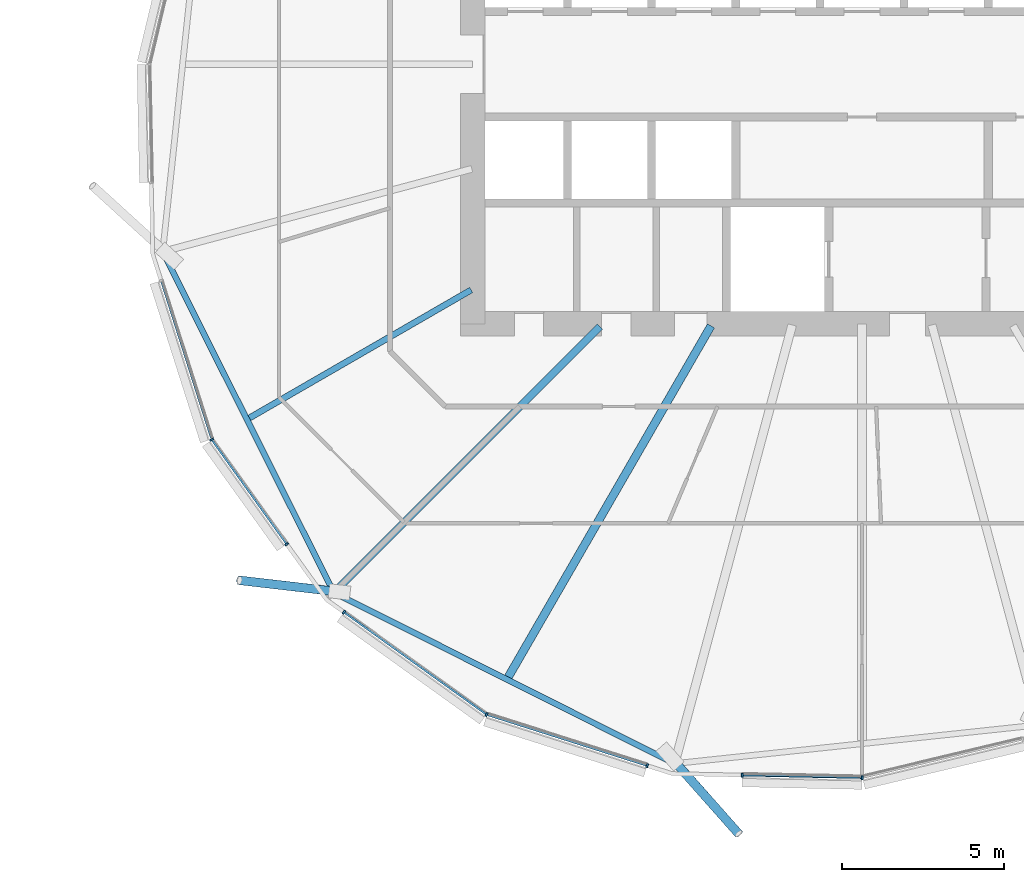
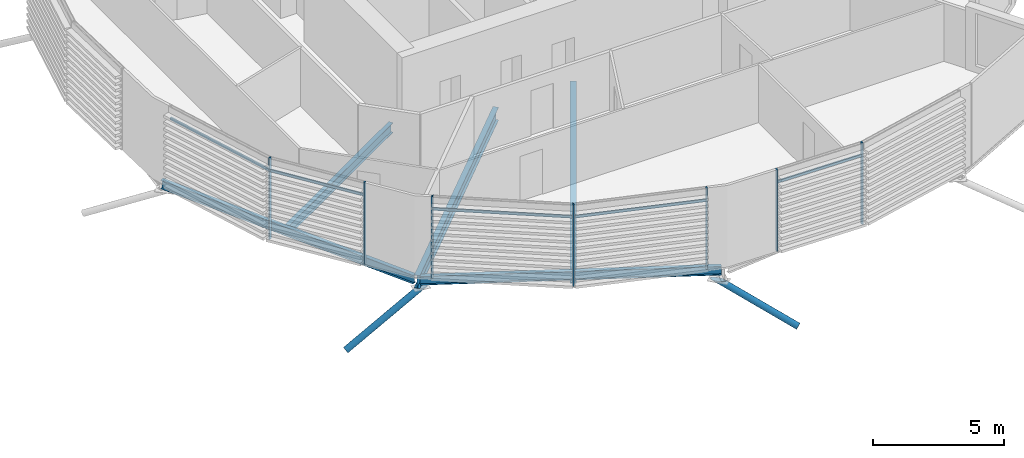
# One storey, part 12 of 39: 14 members, 5 beams, 1 element without a shape of its own.
"""IFC4 building model written with IfcOpenShell, lengths in metres."""

from ifc_helpers import new_model, si_unit, direction, frame, origin, origin_2d, place, context, subcontext, project, spatial, rectangle, hollow_circle, i_section, extrude, clip, halfspace, material, material_profile, profile_set, type_object, element, aggregate, save


model = new_model("IFC4")

# Units and contexts
model_context = context("Model", 3, precision=1e-05, world=origin(), true_north=direction((0.0, 1.0)))
body_context = subcontext(model_context, "Body", "Model", "MODEL_VIEW")
ifc_project = project(units=[si_unit("LENGTHUNIT", "METRE"), si_unit("AREAUNIT", "SQUARE_METRE"), si_unit("VOLUMEUNIT", "CUBIC_METRE"), si_unit("PLANEANGLEUNIT", "RADIAN"), si_unit("MASSUNIT", "GRAM", prefix="KILO")], contexts=[model_context])

# Site, building, storey
site_placement = place(None, origin())
site = spatial("IfcSite", under=ifc_project, at=site_placement, CompositionType="ELEMENT")
building_placement = place(site_placement, origin())
building = spatial("IfcBuilding", under=site, at=building_placement, Name="Rimbun Link Towers", CompositionType="ELEMENT")
storey_placement = place(building_placement, frame((0.0, 0.0, 112.0)))
storey = spatial("IfcBuildingStorey", under=building, at=storey_placement, Name="L27", CompositionType="ELEMENT", Elevation=112.0)

# Curtain wall, members
ifc_material_1 = material(Name="Aluminium 6063-T6 and low-iron glass", Category="aluminium")
curtain_wall_type = type_object("IfcCurtainWallType", Name="CW1-Z2 unitised vision wall (zone 2)", PredefinedType="NOTDEFINED", material=ifc_material_1)
curtain_wall_placement = place(storey_placement, origin())
curtain_wall = element("IfcCurtainWall", 1, at=curtain_wall_placement, inside=storey, type_object=curtain_wall_type, Name="CW1 L27 T2", PredefinedType="NOTDEFINED")
ifc_material_2 = material(Name="Aluminium 6063-T6", Category="aluminium")
ifc_material_profile_1 = material_profile(ifc_material_2, rectangle(XDim=0.1201171875, YDim=0.06005859375, at=origin_2d()), Name="MULLION 60X120")
ifc_profile_set_1 = profile_set([ifc_material_profile_1], Name="Aluminium 6063-T6")
member_type_1 = type_object("IfcMemberType", Name="CW1 mullion 60X120", PredefinedType="MULLION", material=ifc_profile_set_1)
member_1_placement = place(storey_placement, frame((11.70263671875, -11.5703125, 0.0), z_axis=(0.0, 0.0, 1.0), x_axis=(-0.893748959364, -0.448567495073, 0.0)))
member_1 = element("IfcMember", 2, at=member_1_placement, type_object=member_type_1, Name="CW1 mullion", PredefinedType="MULLION", context=body_context, shape_type="SweptSolid", body=[
    extrude(rectangle(XDim=0.1201171875, YDim=0.06005859375, at=origin_2d()), origin(), (0.0, 0.0, 1.0), 3.800048828125),
])
member_2_placement = place(storey_placement, frame((14.013671875, -14.7919921875, 0.0), z_axis=(0.0, 0.0, 1.0), x_axis=(-0.812467340473, -0.583006707221, 0.0)))
member_2 = element("IfcMember", 3, at=member_2_placement, type_object=member_type_1, Name="CW1 mullion", PredefinedType="MULLION", context=body_context, shape_type="SweptSolid", body=[
    extrude(rectangle(XDim=0.1201171875, YDim=0.06005859375, at=origin_2d()), origin(), (0.0, 0.0, 1.0), 3.800048828125),
])
member_3_placement = place(storey_placement, frame((20.1796875, -20.04736328125, 0.0), z_axis=(0.0, 0.0, 1.0), x_axis=(-0.448567495073, -0.893748959364, 0.0)))
member_3 = element("IfcMember", 4, at=member_3_placement, type_object=member_type_1, Name="CW1 mullion", PredefinedType="MULLION", context=body_context, shape_type="SweptSolid", body=[
    extrude(rectangle(XDim=0.1201171875, YDim=0.06005859375, at=origin_2d()), origin(), (0.0, 0.0, 1.0), 3.800048828125),
])
member_4_placement = place(storey_placement, frame((15.77978515625, -16.89111328125, 0.0), z_axis=(0.0, 0.0, 1.0), x_axis=(-0.583006707221, -0.812467340473, 0.0)))
member_4 = element("IfcMember", 5, at=member_4_placement, type_object=member_type_1, Name="CW1 mullion", PredefinedType="MULLION", context=body_context, shape_type="SweptSolid", body=[
    extrude(rectangle(XDim=0.1201171875, YDim=0.06005859375, at=origin_2d()), origin(), (0.0, 0.0, 1.0), 3.800048828125),
])
member_5_placement = place(storey_placement, frame((25.12646484375, -21.621337890625, 0.0), z_axis=(0.0, 0.0, 1.0), x_axis=(-0.303057366512, -0.952972314709, 0.0)))
member_5 = element("IfcMember", 6, at=member_5_placement, type_object=member_type_1, Name="CW1 mullion", PredefinedType="MULLION", context=body_context, shape_type="SweptSolid", body=[
    extrude(rectangle(XDim=0.1201171875, YDim=0.06005859375, at=origin_2d()), origin(), (0.0, 0.0, 1.0), 3.800048828125),
])
member_6_placement = place(storey_placement, frame((31.75634765625, -21.9892578125, 0.0), z_axis=(0.0, 0.0, 1.0), x_axis=(0.106632106355, -0.994298543645, 0.0)))
member_6 = element("IfcMember", 7, at=member_6_placement, type_object=member_type_1, Name="CW1 mullion", PredefinedType="MULLION", context=body_context, shape_type="SweptSolid", body=[
    extrude(rectangle(XDim=0.1201171875, YDim=0.06005859375, at=origin_2d()), origin(), (0.0, 0.0, 1.0), 3.800048828125),
])
member_7_placement = place(storey_placement, frame((28.05517578125, -21.911865234375, 0.0), z_axis=(0.0, 0.0, 1.0), x_axis=(-0.021063270517, -0.999778144708, 0.0)))
member_7 = element("IfcMember", 8, at=member_7_placement, type_object=member_type_1, Name="CW1 mullion", PredefinedType="MULLION", context=body_context, shape_type="SweptSolid", body=[
    extrude(rectangle(XDim=0.1201171875, YDim=0.06005859375, at=origin_2d()), origin(), (0.0, 0.0, 1.0), 3.800048828125),
])
ifc_material_3 = material(Name="Aluminium 6063-T6", Category="aluminium")
ifc_material_profile_2 = material_profile(ifc_material_3, rectangle(XDim=0.06005859375, YDim=0.1201171875, at=origin_2d()), Name="TRANSOM 60X120")
ifc_profile_set_2 = profile_set([ifc_material_profile_2], Name="Aluminium 6063-T6")
member_type_2 = type_object("IfcMemberType", Name="CW1 transom 60X120", PredefinedType="USERDEFINED", material=ifc_profile_set_2)
member_8_placement = place(storey_placement, frame((11.69189453125, -11.532470703125, 3.199951171875), z_axis=(-0.303026816006, 0.952982029621, 0.0), x_axis=(-0.952982029621, -0.303026816006, 0.0)))
member_8 = element("IfcMember", 9, at=member_8_placement, type_object=member_type_2, Name="CW1 transom", ObjectType="TRANSOM", PredefinedType="USERDEFINED", context=body_context, shape_type="SweptSolid", body=[
    extrude(rectangle(XDim=0.06005859375, YDim=0.1201171875, at=origin_2d()), origin(), (0.0, 0.0, 1.0), 5.07177734375),
])
member_9_placement = place(storey_placement, frame((13.997802734375, -14.7666015625, 3.199951171875), z_axis=(-0.583021204161, 0.812456937627, 0.0), x_axis=(-0.812456937627, -0.583021204161, 0.0)))
member_9 = element("IfcMember", 10, at=member_9_placement, type_object=member_type_2, Name="CW1 transom", ObjectType="TRANSOM", PredefinedType="USERDEFINED", context=body_context, shape_type="SweptSolid", body=[
    extrude(rectangle(XDim=0.06005859375, YDim=0.1201171875, at=origin_2d()), origin(), (0.0, 0.0, 1.0), 3.895751953125),
])
member_10_placement = place(storey_placement, frame((20.1484375, -20.0234375, 3.199951171875), z_axis=(-0.812466294381, 0.583008165033, 0.0), x_axis=(-0.583008165033, -0.812466294381, 0.0)))
member_10 = element("IfcMember", 11, at=member_10_placement, type_object=member_type_2, Name="CW1 transom", ObjectType="TRANSOM", PredefinedType="USERDEFINED", context=body_context, shape_type="SweptSolid", body=[
    extrude(rectangle(XDim=0.06005859375, YDim=0.1201171875, at=origin_2d()), origin(), (0.0, 0.0, 1.0), 5.345458984375),
])
member_11_placement = place(storey_placement, frame((25.098388671875, -21.6103515625, 3.199951171875), z_axis=(-0.952968340457, 0.303069863377, 0.0), x_axis=(-0.303069863377, -0.952968340457, 0.0)))
member_11 = element("IfcMember", 12, at=member_11_placement, type_object=member_type_2, Name="CW1 transom", ObjectType="TRANSOM", PredefinedType="USERDEFINED", context=body_context, shape_type="SweptSolid", body=[
    extrude(rectangle(XDim=0.06005859375, YDim=0.1201171875, at=origin_2d()), origin(), (0.0, 0.0, 1.0), 5.121826171875),
])
member_12_placement = place(storey_placement, frame((31.71875, -21.987060546875, 3.199951171875), z_axis=(-0.999777513645, 0.021093202935, 0.0), x_axis=(-0.021093202935, -0.999777513645, 0.0)))
member_12 = element("IfcMember", 13, at=member_12_placement, type_object=member_type_2, Name="CW1 transom", ObjectType="TRANSOM", PredefinedType="USERDEFINED", context=body_context, shape_type="SweptSolid", body=[
    extrude(rectangle(XDim=0.06005859375, YDim=0.1201171875, at=origin_2d()), origin(), (0.0, 0.0, 1.0), 3.63427734375),
])
aggregate(curtain_wall, [member_1, member_2, member_3, member_4, member_5, member_6, member_7, member_8, member_9, member_10, member_11, member_12])

# Members
ifc_material_4 = material(Name="Steel S355J2H", Category="steel")
ifc_material_profile_3 = material_profile(ifc_material_4, hollow_circle(Radius=0.136474609375, WallThickness=0.012451171875, at=origin_2d()), Name="CHS 273x12.5")
ifc_profile_set_3 = profile_set([ifc_material_profile_3], Name="Steel S355J2H")
member_type_3 = type_object("IfcMemberType", Name="Floor edge link CHS 273x12.5", PredefinedType="BRACE", material=ifc_profile_set_3)
member_13_placement = place(storey_placement, frame((15.501220703125, -16.248779296875, -0.876708984375), z_axis=(-0.828517239855, 0.096074856394, -0.551660044985), x_axis=(-0.11518813147, -0.993343693979, 0.0)))
element("IfcMember", 14, at=member_13_placement, inside=storey, type_object=member_type_3, Name="Floor edge link T2 L27 12", PredefinedType="BRACE", context=body_context, shape_type="Clipping", body=[
    clip(extrude(hollow_circle(Radius=0.136474609375, WallThickness=0.012451171875, at=origin_2d()), frame((0.0, 0.0, -0.430908203125)), (0.0, 0.0, 1.0), 3.99609375), halfspace(frame((0.0, 0.0, -0.203125), z_axis=(0.0, 0.834069058752, -0.551660044985)), False)),
])
member_14_placement = place(storey_placement, frame((25.986572265625, -21.509521484375, -1.046875), z_axis=(0.604227480908, -0.681819534467, -0.412348485791), x_axis=(0.748408266318, 0.663238318335, 0.0)))
element("IfcMember", 15, at=member_14_placement, inside=storey, type_object=member_type_3, Name="Floor edge link T2 L27 14", PredefinedType="BRACE", context=body_context, shape_type="Clipping", body=[
    clip(extrude(hollow_circle(Radius=0.136474609375, WallThickness=0.012451171875, at=origin_2d()), frame((0.0, 0.0, -0.627197265625)), (0.0, 0.0, 1.0), 3.880859375), halfspace(frame((0.0, 0.0, -0.297607421875), z_axis=(0.0, 0.911026194061, -0.412348485791)), False)),
])

# Beams
ifc_material_5 = material(Name="Steel S355J2", Category="steel")
ifc_material_profile_4 = material_profile(ifc_material_5, i_section(OverallWidth=0.177978515625, OverallDepth=0.406494140625, WebThickness=0.0078125, FlangeThickness=0.0126953125, at=origin_2d()), Name="UB 406x178x60")
ifc_profile_set_4 = profile_set([ifc_material_profile_4], Name="Steel S355J2")
beam_type_1 = type_object("IfcBeamType", Name="UB 406x178x60", PredefinedType="BEAM", material=ifc_profile_set_4)
beam_1_placement = place(storey_placement, frame((10.240478515625, -5.872802734375, -0.36328125), z_axis=(0.448568465708, -0.893748472207, 0.0), x_axis=(0.893748472207, 0.448568465708, 0.0)))
element("IfcBeam", 16, at=beam_1_placement, inside=storey, type_object=beam_type_1, Name="Edge beam T2 L27 10-12", PredefinedType="BEAM", context=body_context, shape_type="SweptSolid", body=[
    extrude(i_section(OverallWidth=0.177978515625, OverallDepth=0.406494140625, WebThickness=0.0078125, FlangeThickness=0.0126953125, at=origin_2d()), origin(), (0.0, 0.0, 1.0), 11.528076171875),
])
beam_2_placement = place(storey_placement, frame((15.573974609375, -16.33837890625, -0.36328125), z_axis=(0.893751001661, -0.448563425872, 0.0), x_axis=(0.448563425872, 0.893751001661, 0.0)))
element("IfcBeam", 17, at=beam_2_placement, inside=storey, type_object=beam_type_1, Name="Edge beam T2 L27 12-14", PredefinedType="BEAM", context=body_context, shape_type="SweptSolid", body=[
    extrude(i_section(OverallWidth=0.177978515625, OverallDepth=0.406494140625, WebThickness=0.0078125, FlangeThickness=0.0126953125, at=origin_2d()), origin(), (0.0, 0.0, 1.0), 11.498779296875),
])
ifc_material_6 = material(Name="Steel S355J2", Category="steel")
ifc_material_profile_5 = material_profile(ifc_material_6, i_section(OverallWidth=0.18994140625, OverallDepth=0.453369140625, WebThickness=0.008544921875, FlangeThickness=0.0126953125, at=origin_2d()), Name="UB 457x191x67")
ifc_profile_set_5 = profile_set([ifc_material_profile_5], Name="Steel S355J2")
beam_type_2 = type_object("IfcBeamType", Name="UB 457x191x67", PredefinedType="BEAM", material=ifc_profile_set_5)
beam_3_placement = place(storey_placement, frame((19.70166015625, -6.9560546875, -0.38671875), z_axis=(-0.866022826155, -0.500004464558, 0.0), x_axis=(0.500004464558, -0.866022826155, 0.0)))
element("IfcBeam", 18, at=beam_3_placement, inside=storey, type_object=beam_type_2, Name="Radial beam T2 L27 11", PredefinedType="BEAM", context=body_context, shape_type="SweptSolid", body=[
    extrude(i_section(OverallWidth=0.18994140625, OverallDepth=0.453369140625, WebThickness=0.008544921875, FlangeThickness=0.0126953125, at=origin_2d()), origin(), (0.0, 0.0, 1.0), 7.8935546875),
])
ifc_material_7 = material(Name="Steel S355J2", Category="steel")
ifc_material_profile_6 = material_profile(ifc_material_7, i_section(OverallWidth=0.2275390625, OverallDepth=0.6025390625, WebThickness=0.010498046875, FlangeThickness=0.014892578125, at=origin_2d()), Name="UB 610x229x101")
ifc_profile_set_6 = profile_set([ifc_material_profile_6], Name="Steel S355J2")
beam_type_3 = type_object("IfcBeamType", Name="UB 610x229x101", PredefinedType="BEAM", material=ifc_profile_set_6)
beam_4_placement = place(storey_placement, frame((23.668701171875, -8.081298828125, -0.461181640625), z_axis=(-0.707106781187, -0.707106781187, 0.0), x_axis=(0.707106781187, -0.707106781187, 0.0)))
element("IfcBeam", 19, at=beam_4_placement, inside=storey, type_object=beam_type_3, Name="Radial beam T2 L27 12", PredefinedType="BEAM", context=body_context, shape_type="SweptSolid", body=[
    extrude(i_section(OverallWidth=0.2275390625, OverallDepth=0.6025390625, WebThickness=0.010498046875, FlangeThickness=0.014892578125, at=origin_2d()), origin(), (0.0, 0.0, 1.0), 11.6005859375),
])
ifc_material_8 = material(Name="Steel S355J2", Category="steel")
ifc_material_profile_7 = material_profile(ifc_material_8, i_section(OverallWidth=0.253662109375, OverallDepth=0.68359375, WebThickness=0.012451171875, FlangeThickness=0.01904296875, at=origin_2d()), Name="UB 686x254x140")
ifc_profile_set_7 = profile_set([ifc_material_profile_7], Name="Steel S355J2")
beam_type_4 = type_object("IfcBeamType", Name="UB 686x254x140", PredefinedType="BEAM", material=ifc_profile_set_7)
beam_5_placement = place(storey_placement, frame((27.093994140625, -8.064208984375, -0.501708984375), z_axis=(-0.499991403274, -0.86603036705, 0.0), x_axis=(0.86603036705, -0.499991403274, 0.0)))
element("IfcBeam", 20, at=beam_5_placement, inside=storey, type_object=beam_type_4, Name="Radial beam T2 L27 13", PredefinedType="BEAM", context=body_context, shape_type="SweptSolid", body=[
    extrude(i_section(OverallWidth=0.253662109375, OverallDepth=0.68359375, WebThickness=0.012451171875, FlangeThickness=0.01904296875, at=origin_2d()), origin(), (0.0, 0.0, 1.0), 12.493896484375),
])

save(model, "model.ifc")
